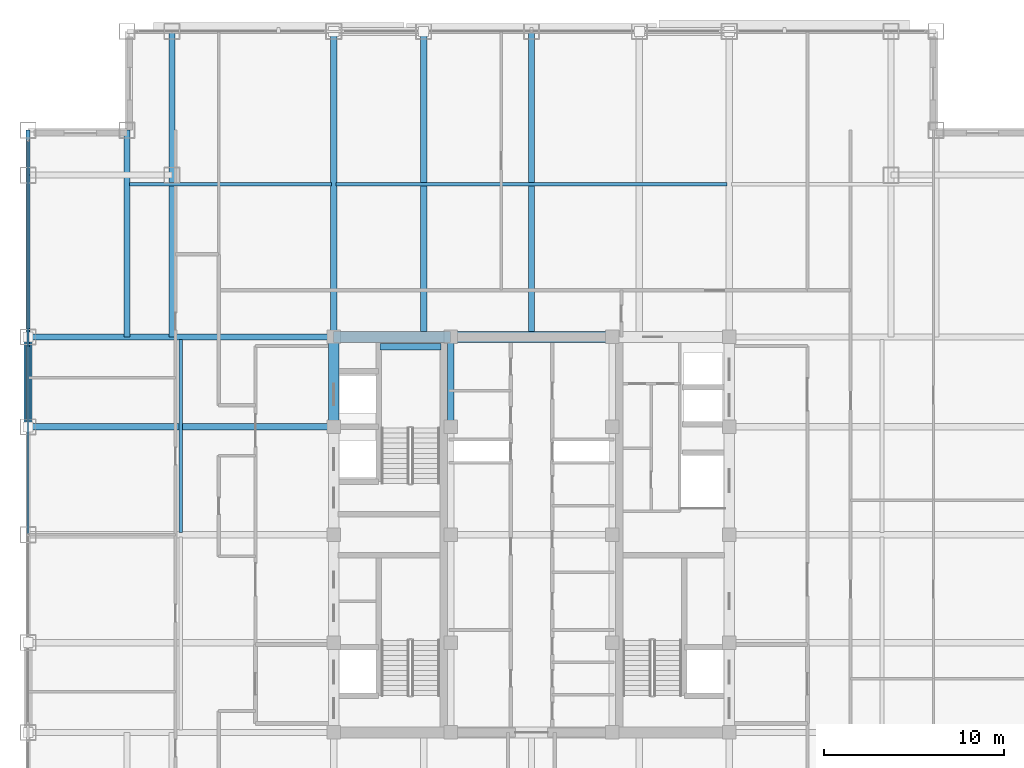
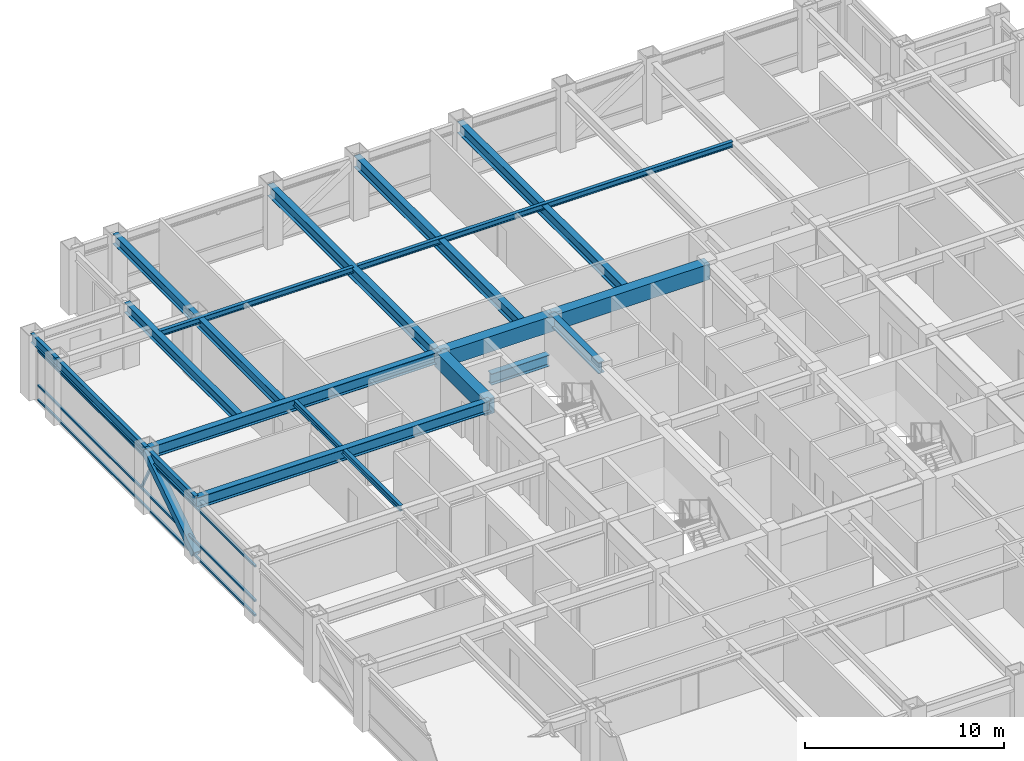
# One storey, part 11 of 27: 18 beams, 5 members, 1 element without a shape of its own.
"""IFC4 building model written with IfcOpenShell, lengths in metres."""

from ifc_helpers import new_model, si_unit, direction, frame, origin, origin_2d, place, context, subcontext, project, spatial, rectangle, hollow_rectangle, i_section, extrude, source, transform, mapped, material, material_profile, profile_set, type_object, element, aggregate, save


model = new_model("IFC4")

# Units and contexts
model_context = context("Model", 3, precision=1e-05, world=origin(), true_north=direction((0.0, 1.0)))
body_context = subcontext(model_context, "Body", "Model", "MODEL_VIEW")
ifc_project = project(units=[si_unit("LENGTHUNIT", "METRE"), si_unit("AREAUNIT", "SQUARE_METRE"), si_unit("VOLUMEUNIT", "CUBIC_METRE"), si_unit("PLANEANGLEUNIT", "RADIAN"), si_unit("MASSUNIT", "GRAM", prefix="KILO")], contexts=[model_context])

# Site, building, storey
site_placement = place(None, origin())
site = spatial("IfcSite", under=ifc_project, at=site_placement, CompositionType="ELEMENT")
building_placement = place(site_placement, origin())
building = spatial("IfcBuilding", under=site, at=building_placement, Name="Khorayat Bourse Tower", CompositionType="ELEMENT")
storey_placement = place(building_placement, frame((0.0, 0.0, 317.5)))
storey = spatial("IfcBuildingStorey", under=building, at=storey_placement, Name="L75", CompositionType="ELEMENT", Elevation=317.5)

# Beams
ifc_material_1 = material(Name="Steel ASTM A992 Grade 50", Category="steel")
ifc_material_profile_1 = material_profile(ifc_material_1, i_section(OverallWidth=0.35498046875, OverallDepth=0.695068359375, WebThickness=0.015380859375, FlangeThickness=0.02490234375, FilletRadius=0.01806640625, at=origin_2d()), Name="W690X217")
ifc_profile_set_1 = profile_set([ifc_material_profile_1], Name="Steel ASTM A992 Grade 50")
beam_type_1 = type_object("IfcBeamType", Name="BM-GIRD-690", PredefinedType="BEAM", material=ifc_profile_set_1)
shared_shape_1 = source(origin(), body_context, "Body", "SweptSolid", [
    extrude(i_section(OverallWidth=0.35498046875, OverallDepth=0.695068359375, WebThickness=0.015380859375, FlangeThickness=0.02490234375, FilletRadius=0.01806640625, at=origin_2d()), origin(), (0.0, 0.0, 1.0), 5.0),
])
beam_1_placement = place(storey_placement, frame((-4.5, 6.0, 3.4326171875), z_axis=(0.0, 1.0, 0.0), x_axis=(-1.0, 0.0, 0.0)))
element("IfcBeam", 1, at=beam_1_placement, inside=storey, type_object=beam_type_1, Name="L75 BM-GIRD-690 BM-L75-CRX-08", PredefinedType="BEAM", context=body_context, shape_type="MappedRepresentation", body=[
    mapped(shared_shape_1, transform((0.0, 0.0, 0.0), scale=1.0)),
])
shared_shape_2 = source(origin(), body_context, "Body", "SweptSolid", [
    extrude(i_section(OverallWidth=0.35498046875, OverallDepth=0.695068359375, WebThickness=0.015380859375, FlangeThickness=0.02490234375, FilletRadius=0.01806640625, at=origin_2d()), origin(), (0.0, 0.0, 1.0), 3.39990234375),
])
beam_2_placement = place(storey_placement, frame((-8.419921875, 10.449951171875, 1.452392578125), z_axis=(1.0, 0.0, 0.0), x_axis=(0.0, 1.0, 0.0)))
element("IfcBeam", 2, at=beam_2_placement, inside=storey, type_object=beam_type_1, Name="L75 BM-GIRD-690 BM-L75-ST2L", PredefinedType="BEAM", context=body_context, shape_type="MappedRepresentation", body=[
    mapped(shared_shape_2, transform((0.0, 0.0, 0.0), scale=1.0)),
])
ifc_material_profile_2 = material_profile(ifc_material_1, i_section(OverallWidth=0.324951171875, OverallDepth=0.615966796875, WebThickness=0.013916015625, FlangeThickness=0.021484375, FilletRadius=0.01611328125, at=origin_2d()), Name="W610X174")
ifc_profile_set_2 = profile_set([ifc_material_profile_2], Name="Steel ASTM A992 Grade 50")
beam_type_2 = type_object("IfcBeamType", Name="BM-GIRD-610", PredefinedType="BEAM", material=ifc_profile_set_2)
shared_shape_3 = source(origin(), body_context, "Body", "SweptSolid", [
    extrude(i_section(OverallWidth=0.324951171875, OverallDepth=0.615966796875, WebThickness=0.013916015625, FlangeThickness=0.021484375, FilletRadius=0.01611328125, at=origin_2d()), origin(), (0.0, 0.0, 1.0), 17.0),
])
beam_3_placement = place(storey_placement, frame((-20.0, 11.0, 3.471923828125), z_axis=(0.0, 1.0, 0.0), x_axis=(-1.0, 0.0, 0.0)))
element("IfcBeam", 3, at=beam_3_placement, inside=storey, type_object=beam_type_2, Name="L75 BM-GIRD-610 BM-L75-CNRY-085", PredefinedType="BEAM", context=body_context, shape_type="MappedRepresentation", body=[
    mapped(shared_shape_3, transform((0.0, 0.0, 0.0), scale=1.0)),
])
ifc_material_2 = material(Name="Concrete C60/75", Category="concrete")
ifc_material_profile_3 = material_profile(ifc_material_2, rectangle(XDim=0.60009765625, YDim=0.949951171875, at=origin_2d()), Name="RC 600x950")
ifc_profile_set_3 = profile_set([ifc_material_profile_3], Name="Concrete C60/75")
beam_type_3 = type_object("IfcBeamType", Name="BM-COUP-950", PredefinedType="BEAM", material=ifc_profile_set_3)
shared_shape_4 = source(origin(), body_context, "Body", "SweptSolid", [
    extrude(rectangle(XDim=0.60009765625, YDim=0.949951171875, at=origin_2d()), origin(), (0.0, 0.0, 1.0), 5.0),
])
beam_4_placement = place(storey_placement, frame((-11.0, 6.0, 3.304931640625), z_axis=(0.0, 1.0, 0.0), x_axis=(-1.0, 0.0, 0.0)))
element("IfcBeam", 4, at=beam_4_placement, inside=storey, type_object=beam_type_3, Name="L75 BM-COUP-950 BM-L75-CRX-04", PredefinedType="BEAM", context=body_context, shape_type="MappedRepresentation", body=[
    mapped(shared_shape_4, transform((0.0, 0.0, 0.0), scale=1.0)),
])
shared_shape_5 = source(origin(), body_context, "Body", "SweptSolid", [
    extrude(rectangle(XDim=0.60009765625, YDim=0.949951171875, at=origin_2d()), origin(), (0.0, 0.0, 1.0), 6.5),
])
beam_5_placement = place(storey_placement, frame((-11.0, 11.0, 3.304931640625), z_axis=(1.0, 0.0, 0.0), x_axis=(0.0, 1.0, 0.0)))
element("IfcBeam", 5, at=beam_5_placement, inside=storey, type_object=beam_type_3, Name="L75 BM-COUP-950 BM-L75-CRY-20", PredefinedType="BEAM", context=body_context, shape_type="MappedRepresentation", body=[
    mapped(shared_shape_5, transform((0.0, 0.0, 0.0), scale=1.0)),
])
shared_shape_6 = source(origin(), body_context, "Body", "SweptSolid", [
    extrude(rectangle(XDim=0.60009765625, YDim=0.949951171875, at=origin_2d()), origin(), (0.0, 0.0, 1.0), 9.0),
])
beam_6_placement = place(storey_placement, frame((-4.5, 11.0, 3.304931640625), z_axis=(1.0, 0.0, 0.0), x_axis=(0.0, 1.0, 0.0)))
element("IfcBeam", 6, at=beam_6_placement, inside=storey, type_object=beam_type_3, Name="L75 BM-COUP-950 BM-L75-CRY-21", PredefinedType="BEAM", context=body_context, shape_type="MappedRepresentation", body=[
    mapped(shared_shape_6, transform((0.0, 0.0, 0.0), scale=1.0)),
])

# Member
ifc_material_3 = material(Name="Steel EN 10025-4 S460M", Category="steel")
ifc_material_profile_4 = material_profile(ifc_material_3, hollow_rectangle(XDim=0.449951171875, YDim=0.449951171875, WallThickness=0.02490234375, at=origin_2d()), Name="HSS 450x450x25")
ifc_profile_set_4 = profile_set([ifc_material_profile_4], Name="Steel EN 10025-4 S460M")
member_type_1 = type_object("IfcMemberType", Name="MBR-TUBE-450", PredefinedType="BRACE", material=ifc_profile_set_4)
shared_shape_7 = source(origin(), body_context, "Body", "SweptSolid", [
    extrude(hollow_rectangle(XDim=0.449951171875, YDim=0.449951171875, WallThickness=0.02490234375, at=origin_2d()), origin(), (0.0, 0.0, 1.0), 5.979736328125),
])
member_1_placement = place(storey_placement, frame((-28.0, 6.0, 0.25), z_axis=(0.0, 0.836141536525, 0.548513747227), x_axis=(-1.0, 0.0, 0.0)))
element("IfcMember", 7, at=member_1_placement, inside=storey, type_object=member_type_1, Name="L75 Perimeter Tube Brace 06", PredefinedType="BRACE", context=body_context, shape_type="MappedRepresentation", body=[
    mapped(shared_shape_7, transform((0.0, 0.0, 0.0), scale=1.0)),
])

# Beams
shared_shape_8 = source(origin(), body_context, "Body", "SweptSolid", [
    extrude(i_section(OverallWidth=0.35498046875, OverallDepth=0.695068359375, WebThickness=0.015380859375, FlangeThickness=0.02490234375, FilletRadius=0.01806640625, at=origin_2d()), origin(), (0.0, 0.0, 1.0), 17.0),
])
for number, where, z_axis, x_axis, name in (
    (8, (-11.0, 11.0, 3.3125), (0.0, 1.0, 0.0), (-1.0, 0.0, 0.0), "L75 BM-GIRD-690 BM-L75-RADY-064"),
    (9, (-6.0, 11.0, 3.3125), (0.0, 1.0, 0.0), (-1.0, 0.0, 0.0), "L75 BM-GIRD-690 BM-L75-RADY-066"),
    (10, (0.0, 11.0, 3.3125), (0.0, 1.0, 0.0), (-1.0, 0.0, 0.0), "L75 BM-GIRD-690 BM-L75-RADY-068"),
    (11, (-28.0, 6.0, 3.4326171875), (1.0, 0.0, 0.0), (0.0, 1.0, 0.0), "L75 BM-GIRD-690 BM-L75-RADX-081"),
    (12, (-28.0, 11.0, 3.4326171875), (1.0, 0.0, 0.0), (0.0, 1.0, 0.0), "L75 BM-GIRD-690 BM-L75-RADX-083"),
):
    element("IfcBeam", number, at=place(storey_placement, frame(where, z_axis=z_axis, x_axis=x_axis)), inside=storey, type_object=beam_type_1, Name=name, PredefinedType="BEAM", context=body_context, shape_type="MappedRepresentation", body=[
        mapped(shared_shape_8, transform((0.0, 0.0, 0.0), scale=1.0)),
    ])
shared_shape_9 = source(origin(), body_context, "Body", "SweptSolid", [
    extrude(i_section(OverallWidth=0.324951171875, OverallDepth=0.615966796875, WebThickness=0.013916015625, FlangeThickness=0.021484375, FilletRadius=0.01611328125, at=origin_2d()), origin(), (0.0, 0.0, 1.0), 11.5),
])
beam_7_placement = place(storey_placement, frame((-22.5, 11.0, 3.471923828125), z_axis=(0.0, 1.0, 0.0), x_axis=(-1.0, 0.0, 0.0)))
element("IfcBeam", 13, at=beam_7_placement, inside=storey, type_object=beam_type_2, Name="L75 BM-GIRD-610 BM-L75-CNRY-089", PredefinedType="BEAM", context=body_context, shape_type="MappedRepresentation", body=[
    mapped(shared_shape_9, transform((0.0, 0.0, 0.0), scale=1.0)),
])
ifc_material_profile_5 = material_profile(ifc_material_1, i_section(OverallWidth=0.202880859375, OverallDepth=0.346923828125, WebThickness=0.0078125, FlangeThickness=0.013427734375, FilletRadius=0.010009765625, at=origin_2d()), Name="W360X64")
ifc_profile_set_5 = profile_set([ifc_material_profile_5], Name="Steel ASTM A992 Grade 50")
beam_type_4 = type_object("IfcBeamType", Name="BM-JOIST-360", PredefinedType="JOIST", material=ifc_profile_set_5)
shared_shape_10 = source(origin(), body_context, "Body", "SweptSolid", [
    extrude(i_section(OverallWidth=0.202880859375, OverallDepth=0.346923828125, WebThickness=0.0078125, FlangeThickness=0.013427734375, FilletRadius=0.010009765625, at=origin_2d()), origin(), (0.0, 0.0, 1.0), 11.240234375),
])
beam_8_placement = place(storey_placement, frame((-22.3701171875, 19.5, 3.6064453125), z_axis=(1.0, 0.0, 0.0), x_axis=(0.0, 1.0, 0.0)))
element("IfcBeam", 14, at=beam_8_placement, inside=storey, type_object=beam_type_4, Name="L75 BM-JOIST-360 BM-L75-JSTX-099", PredefinedType="JOIST", context=body_context, shape_type="MappedRepresentation", body=[
    mapped(shared_shape_10, transform((0.0, 0.0, 0.0), scale=1.0)),
])
shared_shape_11 = source(origin(), body_context, "Body", "SweptSolid", [
    extrude(i_section(OverallWidth=0.202880859375, OverallDepth=0.346923828125, WebThickness=0.0078125, FlangeThickness=0.013427734375, FilletRadius=0.010009765625, at=origin_2d()), origin(), (0.0, 0.0, 1.0), 21.740234375),
])
beam_9_placement = place(storey_placement, frame((-10.8701171875, 19.5, 3.6064453125), z_axis=(1.0, 0.0, 0.0), x_axis=(0.0, 1.0, 0.0)))
element("IfcBeam", 15, at=beam_9_placement, inside=storey, type_object=beam_type_4, Name="L75 BM-JOIST-360 BM-L75-JSTX-100", PredefinedType="JOIST", context=body_context, shape_type="MappedRepresentation", body=[
    mapped(shared_shape_11, transform((0.0, 0.0, 0.0), scale=1.0)),
])
shared_shape_12 = source(origin(), body_context, "Body", "SweptSolid", [
    extrude(i_section(OverallWidth=0.202880859375, OverallDepth=0.346923828125, WebThickness=0.0078125, FlangeThickness=0.013427734375, FilletRadius=0.010009765625, at=origin_2d()), origin(), (0.0, 0.0, 1.0), 10.740234375),
])
beam_10_placement = place(storey_placement, frame((-19.5, 0.1298828125, 3.6064453125), z_axis=(0.0, 1.0, 0.0), x_axis=(-1.0, 0.0, 0.0)))
element("IfcBeam", 16, at=beam_10_placement, inside=storey, type_object=beam_type_4, Name="L75 BM-JOIST-360 BM-L75-JSTY-103", PredefinedType="JOIST", context=body_context, shape_type="MappedRepresentation", body=[
    mapped(shared_shape_12, transform((0.0, 0.0, 0.0), scale=1.0)),
])
ifc_material_profile_6 = material_profile(ifc_material_1, i_section(OverallWidth=0.214111328125, OverallDepth=0.549072265625, WebThickness=0.0146484375, FlangeThickness=0.023681640625, FilletRadius=0.013916015625, at=origin_2d()), Name="W530X138")
ifc_profile_set_6 = profile_set([ifc_material_profile_6], Name="Steel ASTM A992 Grade 50")
beam_type_5 = type_object("IfcBeamType", Name="BM-SPAN-530", PredefinedType="SPANDREL", material=ifc_profile_set_6)
shared_shape_13 = source(origin(), body_context, "Body", "SweptSolid", [
    extrude(i_section(OverallWidth=0.214111328125, OverallDepth=0.549072265625, WebThickness=0.0146484375, FlangeThickness=0.023681640625, FilletRadius=0.013916015625, at=origin_2d()), origin(), (0.0, 0.0, 1.0), 2.5),
])
beam_11_placement = place(storey_placement, frame((-28.0, 20.0, 3.505615234375), z_axis=(0.0, 1.0, 0.0), x_axis=(-1.0, 0.0, 0.0)))
element("IfcBeam", 17, at=beam_11_placement, inside=storey, type_object=beam_type_5, Name="L75 BM-SPAN-530 BM-L75-SPN-054", PredefinedType="SPANDREL", context=body_context, shape_type="MappedRepresentation", body=[
    mapped(shared_shape_13, transform((0.0, 0.0, 0.0), scale=1.0)),
])
shared_shape_14 = source(origin(), body_context, "Body", "SweptSolid", [
    extrude(i_section(OverallWidth=0.214111328125, OverallDepth=0.549072265625, WebThickness=0.0146484375, FlangeThickness=0.023681640625, FilletRadius=0.013916015625, at=origin_2d()), origin(), (0.0, 0.0, 1.0), 9.0),
])
beam_12_placement = place(storey_placement, frame((-28.0, 11.0, 3.505615234375), z_axis=(0.0, 1.0, 0.0), x_axis=(-1.0, 0.0, 0.0)))
element("IfcBeam", 18, at=beam_12_placement, inside=storey, type_object=beam_type_5, Name="L75 BM-SPAN-530 BM-L75-SPN-055", PredefinedType="SPANDREL", context=body_context, shape_type="MappedRepresentation", body=[
    mapped(shared_shape_14, transform((0.0, 0.0, 0.0), scale=1.0)),
])
shared_shape_15 = source(origin(), body_context, "Body", "SweptSolid", [
    extrude(i_section(OverallWidth=0.214111328125, OverallDepth=0.549072265625, WebThickness=0.0146484375, FlangeThickness=0.023681640625, FilletRadius=0.013916015625, at=origin_2d()), origin(), (0.0, 0.0, 1.0), 5.0),
])
beam_13_placement = place(storey_placement, frame((-28.0, 6.0, 3.505615234375), z_axis=(0.0, 1.0, 0.0), x_axis=(-1.0, 0.0, 0.0)))
element("IfcBeam", 19, at=beam_13_placement, inside=storey, type_object=beam_type_5, Name="L75 BM-SPAN-530 BM-L75-SPN-056", PredefinedType="SPANDREL", context=body_context, shape_type="MappedRepresentation", body=[
    mapped(shared_shape_15, transform((0.0, 0.0, 0.0), scale=1.0)),
])

# Curtain wall, members
ifc_material_4 = material(Name="Aluminium EN AW-6063 T6", Category="aluminium")
curtain_wall_type = type_object("IfcCurtainWallType", Name="CW-SYS-04", PredefinedType="NOTDEFINED", material=ifc_material_4)
curtain_wall_placement = place(storey_placement, origin())
curtain_wall = element("IfcCurtainWall", 20, at=curtain_wall_placement, inside=storey, type_object=curtain_wall_type, Name="L75 Curtain Wall CW-L75-W1", PredefinedType="NOTDEFINED")
ifc_material_profile_7 = material_profile(ifc_material_4, hollow_rectangle(XDim=0.1201171875, YDim=0.1201171875, WallThickness=0.0048828125, at=origin_2d()), Name="ALU 120x120x5")
ifc_profile_set_7 = profile_set([ifc_material_profile_7], Name="Aluminium EN AW-6063 T6")
member_type_2 = type_object("IfcMemberType", Name="CWM-DIAG-120", PredefinedType="MULLION", material=ifc_profile_set_7)
shared_shape_16 = source(origin(), body_context, "Body", "SweptSolid", [
    extrude(hollow_rectangle(XDim=0.1201171875, YDim=0.1201171875, WallThickness=0.0048828125, at=origin_2d()), origin(), (0.0, 0.0, 1.0), 2.0791015625),
])
member_2_placement = place(storey_placement, frame((-28.0, 11.4541015625, 1.090087890625), z_axis=(0.0, -0.465717394116, 0.884933505309), x_axis=(1.0, 0.0, 0.0)))
member_2 = element("IfcMember", 21, at=member_2_placement, type_object=member_type_2, Name="CW-L75-W1 Faceted Diagonal Mullion 2", PredefinedType="MULLION", context=body_context, shape_type="MappedRepresentation", body=[
    mapped(shared_shape_16, transform((0.0, 0.0, 0.0), scale=1.0)),
])
ifc_material_profile_8 = material_profile(ifc_material_4, hollow_rectangle(XDim=0.1201171875, YDim=0.1201171875, WallThickness=0.0048828125, at=origin_2d()), Name="ALU 120x120x5")
ifc_profile_set_8 = profile_set([ifc_material_profile_8], Name="Aluminium EN AW-6063 T6")
member_type_3 = type_object("IfcMemberType", Name="CWT-HORZ-120", PredefinedType="USERDEFINED", material=ifc_profile_set_8)
shared_shape_17 = source(origin(), body_context, "Body", "SweptSolid", [
    extrude(hollow_rectangle(XDim=0.1201171875, YDim=0.1201171875, WallThickness=0.0048828125, at=origin_2d()), origin(), (0.0, 0.0, 1.0), 21.81982421875),
])
member_3_placement = place(storey_placement, frame((-28.0, 0.06005859375, 0.06005859375), z_axis=(0.0, 1.0, 0.0), x_axis=(-1.0, 0.0, 0.0)))
member_3 = element("IfcMember", 22, at=member_3_placement, type_object=member_type_3, Name="CW-L75-W1 Horizontal Transom 2-1", ObjectType="TRANSOM", PredefinedType="USERDEFINED", context=body_context, shape_type="MappedRepresentation", body=[
    mapped(shared_shape_17, transform((0.0, 0.0, 0.0), scale=1.0)),
])
member_4_placement = place(storey_placement, frame((-28.0, 0.06005859375, 0.949951171875), z_axis=(0.0, 1.0, 0.0), x_axis=(-1.0, 0.0, 0.0)))
member_4 = element("IfcMember", 23, at=member_4_placement, type_object=member_type_3, Name="CW-L75-W1 Horizontal Transom 2-2", ObjectType="TRANSOM", PredefinedType="USERDEFINED", context=body_context, shape_type="MappedRepresentation", body=[
    mapped(shared_shape_17, transform((0.0, 0.0, 0.0), scale=1.0)),
])
member_5_placement = place(storey_placement, frame((-28.0, 0.06005859375, 3.070068359375), z_axis=(0.0, 1.0, 0.0), x_axis=(-1.0, 0.0, 0.0)))
member_5 = element("IfcMember", 24, at=member_5_placement, type_object=member_type_3, Name="CW-L75-W1 Horizontal Transom 2-3", ObjectType="TRANSOM", PredefinedType="USERDEFINED", context=body_context, shape_type="MappedRepresentation", body=[
    mapped(shared_shape_17, transform((0.0, 0.0, 0.0), scale=1.0)),
])
aggregate(curtain_wall, [member_3, member_4, member_5, member_2])

save(model, "model.ifc")
